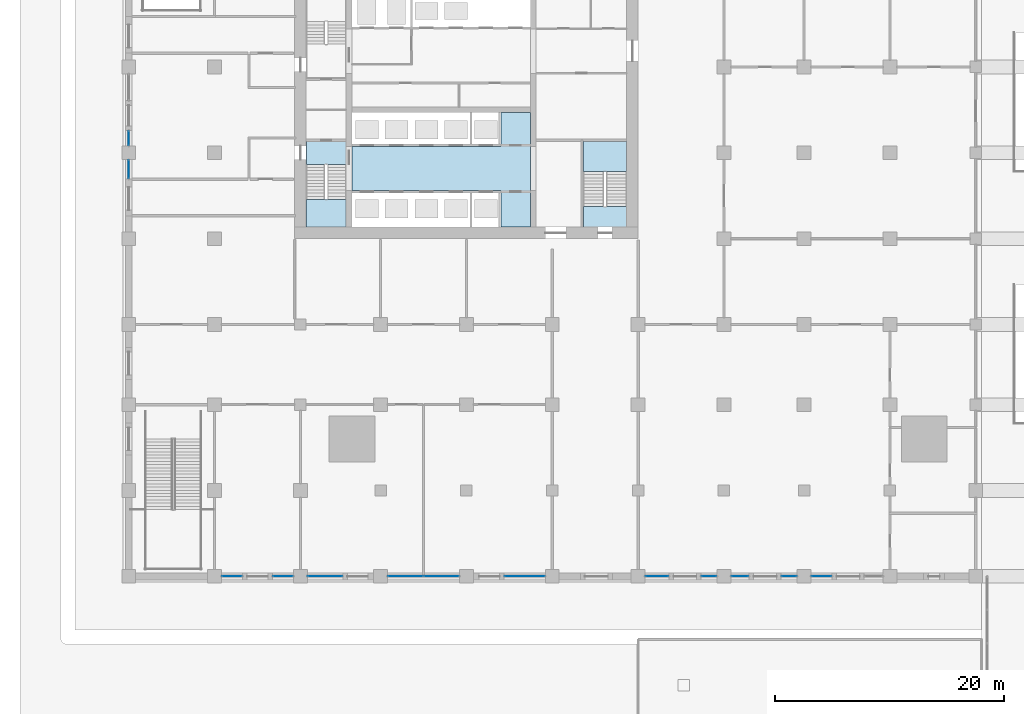
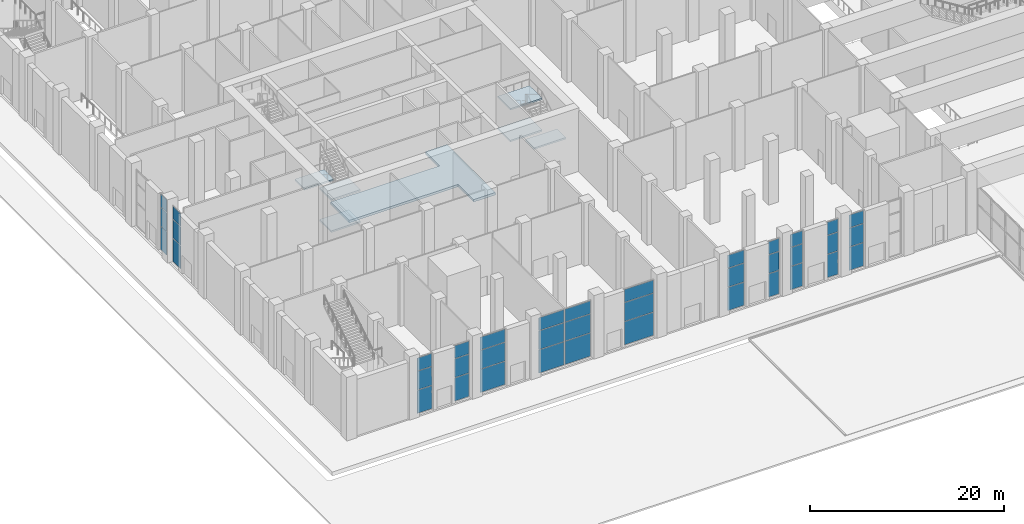
# One storey, part 18 of 57: 39 plates, 7 slabs, 15 elements without a shape of their own.
"""IFC4 building model written with IfcOpenShell, lengths in metres."""

from ifc_helpers import new_model, si_unit, direction, frame, origin, origin_2d, place, context, subcontext, project, spatial, polyline, rectangle, outline, extrude, material, layer, layer_set, type_object, element, aggregate, save


model = new_model("IFC4")

# Units and contexts
model_context = context("Model", 3, precision=1e-05, world=origin(), true_north=direction((0.0, 1.0)))
body_context = subcontext(model_context, "Body", "Model", "MODEL_VIEW")
ifc_project = project(units=[si_unit("LENGTHUNIT", "METRE"), si_unit("AREAUNIT", "SQUARE_METRE"), si_unit("VOLUMEUNIT", "CUBIC_METRE"), si_unit("PLANEANGLEUNIT", "RADIAN"), si_unit("MASSUNIT", "GRAM", prefix="KILO")], contexts=[model_context])

# Site, building, storey
site_placement = place(None, origin())
site = spatial("IfcSite", under=ifc_project, at=site_placement, CompositionType="ELEMENT")
building_placement = place(site_placement, origin())
building = spatial("IfcBuilding", under=site, at=building_placement, Name="Tamorin Gate", CompositionType="ELEMENT")
storey_placement = place(building_placement, origin())
storey = spatial("IfcBuildingStorey", under=building, at=storey_placement, Name="L00", CompositionType="ELEMENT", Elevation=0.0)

# Slab
ifc_material_1 = material(Name="Concrete C40/50", Category="concrete")
ifc_layer_1 = layer(ifc_material_1, 0.300048828125)
ifc_layer_set_1 = layer_set([ifc_layer_1], Name="Core floor slab 300 C40/50")
slab_type_1 = type_object("IfcSlabType", Name="Core floor slab 300 C40/50", PredefinedType="FLOOR", material=ifc_layer_set_1)
slab_1_placement = place(storey_placement, frame((0.0, 0.0, -0.300048828125)))
element("IfcSlab", 1, at=slab_1_placement, inside=storey, type_object=slab_type_1, Name="Core floor L00", PredefinedType="FLOOR", context=body_context, shape_type="SweptSolid", body=[
    extrude(outline(polyline([(50.60009765625, 61.0), (48.0, 61.0), (48.0, 64.199951171875), (35.0, 64.199951171875), (35.0, 68.050048828125), (48.0, 68.050048828125), (48.0, 71.0), (50.60009765625, 71.0), (50.60009765625, 61.0)])), origin(), (0.0, 0.0, 1.0), 0.300048828125),
])

# Stair, slabs
stair_type = type_object("IfcStairType", Name="Exit stair", PredefinedType="HALF_TURN_STAIR", material=ifc_material_1)
stair_1_placement = place(storey_placement, origin())
stair_1 = element("IfcStair", 2, at=stair_1_placement, inside=storey, type_object=stair_type, Name="L00 stair ST1", PredefinedType="HALF_TURN_STAIR")
ifc_layer_2 = layer(ifc_material_1, 0.199951171875)
ifc_layer_set_2 = layer_set([ifc_layer_2], Name="Exit stair landing 200")
slab_type_2 = type_object("IfcSlabType", Name="Exit stair landing 200", PredefinedType="LANDING", material=ifc_layer_set_2)
slab_2_placement = place(storey_placement, frame((0.0, 0.0, 1.800048828125)))
slab_2 = element("IfcSlab", 3, at=slab_2_placement, type_object=slab_type_2, Name="ST1 landing 1", PredefinedType="LANDING", context=body_context, shape_type="SweptSolid", body=[
    extrude(outline(polyline([(31.0, 63.419921875), (31.0, 61.0), (34.5, 61.0), (34.5, 63.419921875), (31.0, 63.419921875)])), origin(), (0.0, 0.0, 1.0), 0.199951171875),
])
slab_3_placement = place(storey_placement, frame((0.0, 0.0, 3.800048828125)))
slab_3 = element("IfcSlab", 4, at=slab_3_placement, type_object=slab_type_2, Name="ST1 landing 2", PredefinedType="LANDING", context=body_context, shape_type="SweptSolid", body=[
    extrude(outline(polyline([(31.0, 68.5), (31.0, 66.5), (34.5, 66.5), (34.5, 68.5), (31.0, 68.5)])), origin(), (0.0, 0.0, 1.0), 0.199951171875),
])
slab_4_placement = place(storey_placement, frame((0.0, 0.0, 5.800048828125)))
slab_4 = element("IfcSlab", 5, at=slab_4_placement, type_object=slab_type_2, Name="ST1 landing 3", PredefinedType="LANDING", context=body_context, shape_type="SweptSolid", body=[
    extrude(outline(polyline([(31.0, 63.419921875), (31.0, 61.0), (34.5, 61.0), (34.5, 63.419921875), (31.0, 63.419921875)])), origin(), (0.0, 0.0, 1.0), 0.199951171875),
])
aggregate(stair_1, [slab_2, slab_3, slab_4])

stair_2_placement = place(storey_placement, origin())
stair_2 = element("IfcStair", 6, at=stair_2_placement, inside=storey, type_object=stair_type, Name="L00 stair ST3", PredefinedType="HALF_TURN_STAIR")
slab_5_placement = place(storey_placement, frame((0.0, 0.0, 1.800048828125)))
slab_5 = element("IfcSlab", 7, at=slab_5_placement, type_object=slab_type_2, Name="ST3 landing 1", PredefinedType="LANDING", context=body_context, shape_type="SweptSolid", body=[
    extrude(outline(polyline([(59.0, 65.8798828125), (59.0, 68.5), (55.199951171875, 68.5), (55.199951171875, 65.8798828125), (59.0, 65.8798828125)])), origin(), (0.0, 0.0, 1.0), 0.199951171875),
])
slab_6_placement = place(storey_placement, frame((0.0, 0.0, 3.800048828125)))
slab_6 = element("IfcSlab", 8, at=slab_6_placement, type_object=slab_type_2, Name="ST3 landing 2", PredefinedType="LANDING", context=body_context, shape_type="SweptSolid", body=[
    extrude(outline(polyline([(59.0, 61.0), (59.0, 62.800048828125), (55.199951171875, 62.800048828125), (55.199951171875, 61.0), (59.0, 61.0)])), origin(), (0.0, 0.0, 1.0), 0.199951171875),
])
slab_7_placement = place(storey_placement, frame((0.0, 0.0, 5.800048828125)))
slab_7 = element("IfcSlab", 9, at=slab_7_placement, type_object=slab_type_2, Name="ST3 landing 3", PredefinedType="LANDING", context=body_context, shape_type="SweptSolid", body=[
    extrude(outline(polyline([(59.0, 65.8798828125), (59.0, 68.5), (55.199951171875, 68.5), (55.199951171875, 65.8798828125), (59.0, 65.8798828125)])), origin(), (0.0, 0.0, 1.0), 0.199951171875),
])
aggregate(stair_2, [slab_5, slab_6, slab_7])

# Curtain wall, plates
ifc_material_2 = material(Name="Aluminium and glass", Category="aluminium")
ifc_layer_3 = layer(ifc_material_2, 0.199951171875)
ifc_layer_set_3 = layer_set([ifc_layer_3], Name="Retail storefront system")
curtain_wall_type = type_object("IfcCurtainWallType", Name="Retail storefront system", PredefinedType="NOTDEFINED", material=ifc_layer_set_3)
curtain_wall_1_placement = place(storey_placement, origin())
curtain_wall_1 = element("IfcCurtainWall", 10, at=curtain_wall_1_placement, inside=storey, type_object=curtain_wall_type, Name="Retail storefront system L00", PredefinedType="NOTDEFINED")
ifc_material_3 = material(Name="Laminated glass", Category="glass")
ifc_layer_4 = layer(ifc_material_3, 0.028076171875)
ifc_layer_set_4 = layer_set([ifc_layer_4], Name="Storefront glass 28")
plate_type = type_object("IfcPlateType", Name="Storefront glass 28", PredefinedType="CURTAIN_PANEL", material=ifc_layer_set_4)
plate_1_placement = place(storey_placement, frame((24.52490234375, 30.5, 0.06005859375), z_axis=(0.0, 0.0, 1.0), x_axis=(1.0, 0.0, 0.0)))
plate_1 = element("IfcPlate", 11, at=plate_1_placement, type_object=plate_type, Name="CWP10 panel 1.1", PredefinedType="CURTAIN_PANEL", context=body_context, shape_type="SweptSolid", body=[
    extrude(rectangle(XDim=1.72998046875, YDim=0.028076171875, at=origin_2d()), origin(), (0.0, 0.0, 1.0), 2.909912109375),
])
plate_2_placement = place(storey_placement, frame((24.52490234375, 30.5, 3.02978515625), z_axis=(0.0, 0.0, 1.0), x_axis=(1.0, 0.0, 0.0)))
plate_2 = element("IfcPlate", 12, at=plate_2_placement, type_object=plate_type, Name="CWP10 panel 1.2", PredefinedType="CURTAIN_PANEL", context=body_context, shape_type="SweptSolid", body=[
    extrude(rectangle(XDim=1.72998046875, YDim=0.028076171875, at=origin_2d()), origin(), (0.0, 0.0, 1.0), 2.340087890625),
])
plate_3_placement = place(storey_placement, frame((24.52490234375, 30.5, 5.43017578125), z_axis=(0.0, 0.0, 1.0), x_axis=(1.0, 0.0, 0.0)))
plate_3 = element("IfcPlate", 13, at=plate_3_placement, type_object=plate_type, Name="CWP10 panel 1.3", PredefinedType="CURTAIN_PANEL", context=body_context, shape_type="SweptSolid", body=[
    extrude(rectangle(XDim=1.72998046875, YDim=0.028076171875, at=origin_2d()), origin(), (0.0, 0.0, 1.0), 1.610107421875),
])
aggregate(curtain_wall_1, [plate_1, plate_2, plate_3])

curtain_wall_2_placement = place(storey_placement, origin())
curtain_wall_2 = element("IfcCurtainWall", 14, at=curtain_wall_2_placement, inside=storey, type_object=curtain_wall_type, Name="Retail storefront system L00", PredefinedType="NOTDEFINED")
plate_4_placement = place(storey_placement, frame((28.97509765625, 30.5, 0.06005859375), z_axis=(0.0, 0.0, 1.0), x_axis=(1.0, 0.0, 0.0)))
plate_4 = element("IfcPlate", 15, at=plate_4_placement, type_object=plate_type, Name="CWP10 panel 1.1", PredefinedType="CURTAIN_PANEL", context=body_context, shape_type="SweptSolid", body=[
    extrude(rectangle(XDim=1.72998046875, YDim=0.028076171875, at=origin_2d()), origin(), (0.0, 0.0, 1.0), 2.909912109375),
])
plate_5_placement = place(storey_placement, frame((28.97509765625, 30.5, 3.02978515625), z_axis=(0.0, 0.0, 1.0), x_axis=(1.0, 0.0, 0.0)))
plate_5 = element("IfcPlate", 16, at=plate_5_placement, type_object=plate_type, Name="CWP10 panel 1.2", PredefinedType="CURTAIN_PANEL", context=body_context, shape_type="SweptSolid", body=[
    extrude(rectangle(XDim=1.72998046875, YDim=0.028076171875, at=origin_2d()), origin(), (0.0, 0.0, 1.0), 2.340087890625),
])
plate_6_placement = place(storey_placement, frame((28.97509765625, 30.5, 5.43017578125), z_axis=(0.0, 0.0, 1.0), x_axis=(1.0, 0.0, 0.0)))
plate_6 = element("IfcPlate", 17, at=plate_6_placement, type_object=plate_type, Name="CWP10 panel 1.3", PredefinedType="CURTAIN_PANEL", context=body_context, shape_type="SweptSolid", body=[
    extrude(rectangle(XDim=1.72998046875, YDim=0.028076171875, at=origin_2d()), origin(), (0.0, 0.0, 1.0), 1.610107421875),
])
aggregate(curtain_wall_2, [plate_4, plate_5, plate_6])

curtain_wall_3_placement = place(storey_placement, origin())
curtain_wall_3 = element("IfcCurtainWall", 18, at=curtain_wall_3_placement, inside=storey, type_object=curtain_wall_type, Name="Retail storefront system L00", PredefinedType="NOTDEFINED")
plate_7_placement = place(storey_placement, frame((32.64990234375, 30.5, 0.06005859375), z_axis=(0.0, 0.0, 1.0), x_axis=(1.0, 0.0, 0.0)))
plate_7 = element("IfcPlate", 19, at=plate_7_placement, type_object=plate_type, Name="CWP10 panel 1.1", PredefinedType="CURTAIN_PANEL", context=body_context, shape_type="SweptSolid", body=[
    extrude(rectangle(XDim=2.97998046875, YDim=0.028076171875, at=origin_2d()), origin(), (0.0, 0.0, 1.0), 2.909912109375),
])
plate_8_placement = place(storey_placement, frame((32.64990234375, 30.5, 3.02978515625), z_axis=(0.0, 0.0, 1.0), x_axis=(1.0, 0.0, 0.0)))
plate_8 = element("IfcPlate", 20, at=plate_8_placement, type_object=plate_type, Name="CWP10 panel 1.2", PredefinedType="CURTAIN_PANEL", context=body_context, shape_type="SweptSolid", body=[
    extrude(rectangle(XDim=2.97998046875, YDim=0.028076171875, at=origin_2d()), origin(), (0.0, 0.0, 1.0), 2.340087890625),
])
plate_9_placement = place(storey_placement, frame((32.64990234375, 30.5, 5.43017578125), z_axis=(0.0, 0.0, 1.0), x_axis=(1.0, 0.0, 0.0)))
plate_9 = element("IfcPlate", 21, at=plate_9_placement, type_object=plate_type, Name="CWP10 panel 1.3", PredefinedType="CURTAIN_PANEL", context=body_context, shape_type="SweptSolid", body=[
    extrude(rectangle(XDim=2.97998046875, YDim=0.028076171875, at=origin_2d()), origin(), (0.0, 0.0, 1.0), 1.610107421875),
])
aggregate(curtain_wall_3, [plate_7, plate_8, plate_9])

curtain_wall_4_placement = place(storey_placement, origin())
curtain_wall_4 = element("IfcCurtainWall", 22, at=curtain_wall_4_placement, inside=storey, type_object=curtain_wall_type, Name="Retail storefront system L00", PredefinedType="NOTDEFINED")
plate_10_placement = place(storey_placement, frame((39.675048828125, 30.5, 0.06005859375), z_axis=(0.0, 0.0, 1.0), x_axis=(1.0, 0.0, 0.0)))
plate_10 = element("IfcPlate", 23, at=plate_10_placement, type_object=plate_type, Name="CWP10 panel 1.1", PredefinedType="CURTAIN_PANEL", context=body_context, shape_type="SweptSolid", body=[
    extrude(rectangle(XDim=3.030029296875, YDim=0.028076171875, at=origin_2d()), origin(), (0.0, 0.0, 1.0), 2.909912109375),
])
plate_11_placement = place(storey_placement, frame((39.675048828125, 30.5, 3.02978515625), z_axis=(0.0, 0.0, 1.0), x_axis=(1.0, 0.0, 0.0)))
plate_11 = element("IfcPlate", 24, at=plate_11_placement, type_object=plate_type, Name="CWP10 panel 1.2", PredefinedType="CURTAIN_PANEL", context=body_context, shape_type="SweptSolid", body=[
    extrude(rectangle(XDim=3.030029296875, YDim=0.028076171875, at=origin_2d()), origin(), (0.0, 0.0, 1.0), 2.340087890625),
])
plate_12_placement = place(storey_placement, frame((39.675048828125, 30.5, 5.43017578125), z_axis=(0.0, 0.0, 1.0), x_axis=(1.0, 0.0, 0.0)))
plate_12 = element("IfcPlate", 25, at=plate_12_placement, type_object=plate_type, Name="CWP10 panel 1.3", PredefinedType="CURTAIN_PANEL", context=body_context, shape_type="SweptSolid", body=[
    extrude(rectangle(XDim=3.030029296875, YDim=0.028076171875, at=origin_2d()), origin(), (0.0, 0.0, 1.0), 1.610107421875),
])
aggregate(curtain_wall_4, [plate_10, plate_11, plate_12])

curtain_wall_5_placement = place(storey_placement, origin())
curtain_wall_5 = element("IfcCurtainWall", 26, at=curtain_wall_5_placement, inside=storey, type_object=curtain_wall_type, Name="Retail storefront system L00", PredefinedType="NOTDEFINED")
plate_13_placement = place(storey_placement, frame((42.824951171875, 30.5, 0.06005859375), z_axis=(0.0, 0.0, 1.0), x_axis=(1.0, 0.0, 0.0)))
plate_13 = element("IfcPlate", 27, at=plate_13_placement, type_object=plate_type, Name="CWP10 panel 1.1", PredefinedType="CURTAIN_PANEL", context=body_context, shape_type="SweptSolid", body=[
    extrude(rectangle(XDim=3.030029296875, YDim=0.028076171875, at=origin_2d()), origin(), (0.0, 0.0, 1.0), 2.909912109375),
])
plate_14_placement = place(storey_placement, frame((42.824951171875, 30.5, 3.02978515625), z_axis=(0.0, 0.0, 1.0), x_axis=(1.0, 0.0, 0.0)))
plate_14 = element("IfcPlate", 28, at=plate_14_placement, type_object=plate_type, Name="CWP10 panel 1.2", PredefinedType="CURTAIN_PANEL", context=body_context, shape_type="SweptSolid", body=[
    extrude(rectangle(XDim=3.030029296875, YDim=0.028076171875, at=origin_2d()), origin(), (0.0, 0.0, 1.0), 2.340087890625),
])
plate_15_placement = place(storey_placement, frame((42.824951171875, 30.5, 5.43017578125), z_axis=(0.0, 0.0, 1.0), x_axis=(1.0, 0.0, 0.0)))
plate_15 = element("IfcPlate", 29, at=plate_15_placement, type_object=plate_type, Name="CWP10 panel 1.3", PredefinedType="CURTAIN_PANEL", context=body_context, shape_type="SweptSolid", body=[
    extrude(rectangle(XDim=3.030029296875, YDim=0.028076171875, at=origin_2d()), origin(), (0.0, 0.0, 1.0), 1.610107421875),
])
aggregate(curtain_wall_5, [plate_13, plate_14, plate_15])

curtain_wall_6_placement = place(storey_placement, origin())
curtain_wall_6 = element("IfcCurtainWall", 30, at=curtain_wall_6_placement, inside=storey, type_object=curtain_wall_type, Name="Retail storefront system L00", PredefinedType="NOTDEFINED")
plate_16_placement = place(storey_placement, frame((50.10009765625, 30.5, 0.06005859375), z_axis=(0.0, 0.0, 1.0), x_axis=(1.0, 0.0, 0.0)))
plate_16 = element("IfcPlate", 31, at=plate_16_placement, type_object=plate_type, Name="CWP10 panel 1.1", PredefinedType="CURTAIN_PANEL", context=body_context, shape_type="SweptSolid", body=[
    extrude(rectangle(XDim=3.47998046875, YDim=0.028076171875, at=origin_2d()), origin(), (0.0, 0.0, 1.0), 2.909912109375),
])
plate_17_placement = place(storey_placement, frame((50.10009765625, 30.5, 3.02978515625), z_axis=(0.0, 0.0, 1.0), x_axis=(1.0, 0.0, 0.0)))
plate_17 = element("IfcPlate", 32, at=plate_17_placement, type_object=plate_type, Name="CWP10 panel 1.2", PredefinedType="CURTAIN_PANEL", context=body_context, shape_type="SweptSolid", body=[
    extrude(rectangle(XDim=3.47998046875, YDim=0.028076171875, at=origin_2d()), origin(), (0.0, 0.0, 1.0), 2.340087890625),
])
plate_18_placement = place(storey_placement, frame((50.10009765625, 30.5, 5.43017578125), z_axis=(0.0, 0.0, 1.0), x_axis=(1.0, 0.0, 0.0)))
plate_18 = element("IfcPlate", 33, at=plate_18_placement, type_object=plate_type, Name="CWP10 panel 1.3", PredefinedType="CURTAIN_PANEL", context=body_context, shape_type="SweptSolid", body=[
    extrude(rectangle(XDim=3.47998046875, YDim=0.028076171875, at=origin_2d()), origin(), (0.0, 0.0, 1.0), 1.610107421875),
])
aggregate(curtain_wall_6, [plate_16, plate_17, plate_18])

curtain_wall_7_placement = place(storey_placement, origin())
curtain_wall_7 = element("IfcCurtainWall", 34, at=curtain_wall_7_placement, inside=storey, type_object=curtain_wall_type, Name="Retail storefront system L00", PredefinedType="NOTDEFINED")
plate_19_placement = place(storey_placement, frame((61.64990234375, 30.5, 0.06005859375), z_axis=(0.0, 0.0, 1.0), x_axis=(1.0, 0.0, 0.0)))
plate_19 = element("IfcPlate", 35, at=plate_19_placement, type_object=plate_type, Name="CWP10 panel 1.1", PredefinedType="CURTAIN_PANEL", context=body_context, shape_type="SweptSolid", body=[
    extrude(rectangle(XDim=1.97998046875, YDim=0.028076171875, at=origin_2d()), origin(), (0.0, 0.0, 1.0), 2.909912109375),
])
plate_20_placement = place(storey_placement, frame((61.64990234375, 30.5, 3.02978515625), z_axis=(0.0, 0.0, 1.0), x_axis=(1.0, 0.0, 0.0)))
plate_20 = element("IfcPlate", 36, at=plate_20_placement, type_object=plate_type, Name="CWP10 panel 1.2", PredefinedType="CURTAIN_PANEL", context=body_context, shape_type="SweptSolid", body=[
    extrude(rectangle(XDim=1.97998046875, YDim=0.028076171875, at=origin_2d()), origin(), (0.0, 0.0, 1.0), 2.340087890625),
])
plate_21_placement = place(storey_placement, frame((61.64990234375, 30.5, 5.43017578125), z_axis=(0.0, 0.0, 1.0), x_axis=(1.0, 0.0, 0.0)))
plate_21 = element("IfcPlate", 37, at=plate_21_placement, type_object=plate_type, Name="CWP10 panel 1.3", PredefinedType="CURTAIN_PANEL", context=body_context, shape_type="SweptSolid", body=[
    extrude(rectangle(XDim=1.97998046875, YDim=0.028076171875, at=origin_2d()), origin(), (0.0, 0.0, 1.0), 1.610107421875),
])
aggregate(curtain_wall_7, [plate_19, plate_20, plate_21])

curtain_wall_8_placement = place(storey_placement, origin())
curtain_wall_8 = element("IfcCurtainWall", 38, at=curtain_wall_8_placement, inside=storey, type_object=curtain_wall_type, Name="Retail storefront system L00", PredefinedType="NOTDEFINED")
plate_22_placement = place(storey_placement, frame((66.199951171875, 30.5, 0.06005859375), z_axis=(0.0, 0.0, 1.0), x_axis=(1.0, 0.0, 0.0)))
plate_22 = element("IfcPlate", 39, at=plate_22_placement, type_object=plate_type, Name="CWP10 panel 1.1", PredefinedType="CURTAIN_PANEL", context=body_context, shape_type="SweptSolid", body=[
    extrude(rectangle(XDim=1.280029296875, YDim=0.028076171875, at=origin_2d()), origin(), (0.0, 0.0, 1.0), 2.909912109375),
])
plate_23_placement = place(storey_placement, frame((66.199951171875, 30.5, 3.02978515625), z_axis=(0.0, 0.0, 1.0), x_axis=(1.0, 0.0, 0.0)))
plate_23 = element("IfcPlate", 40, at=plate_23_placement, type_object=plate_type, Name="CWP10 panel 1.2", PredefinedType="CURTAIN_PANEL", context=body_context, shape_type="SweptSolid", body=[
    extrude(rectangle(XDim=1.280029296875, YDim=0.028076171875, at=origin_2d()), origin(), (0.0, 0.0, 1.0), 2.340087890625),
])
plate_24_placement = place(storey_placement, frame((66.199951171875, 30.5, 5.43017578125), z_axis=(0.0, 0.0, 1.0), x_axis=(1.0, 0.0, 0.0)))
plate_24 = element("IfcPlate", 41, at=plate_24_placement, type_object=plate_type, Name="CWP10 panel 1.3", PredefinedType="CURTAIN_PANEL", context=body_context, shape_type="SweptSolid", body=[
    extrude(rectangle(XDim=1.280029296875, YDim=0.028076171875, at=origin_2d()), origin(), (0.0, 0.0, 1.0), 1.610107421875),
])
aggregate(curtain_wall_8, [plate_22, plate_23, plate_24])

curtain_wall_9_placement = place(storey_placement, origin())
curtain_wall_9 = element("IfcCurtainWall", 42, at=curtain_wall_9_placement, inside=storey, type_object=curtain_wall_type, Name="Retail storefront system L00", PredefinedType="NOTDEFINED")
plate_25_placement = place(storey_placement, frame((68.89990234375, 30.5, 0.06005859375), z_axis=(0.0, 0.0, 1.0), x_axis=(1.0, 0.0, 0.0)))
plate_25 = element("IfcPlate", 43, at=plate_25_placement, type_object=plate_type, Name="CWP10 panel 1.1", PredefinedType="CURTAIN_PANEL", context=body_context, shape_type="SweptSolid", body=[
    extrude(rectangle(XDim=1.47998046875, YDim=0.028076171875, at=origin_2d()), origin(), (0.0, 0.0, 1.0), 2.909912109375),
])
plate_26_placement = place(storey_placement, frame((68.89990234375, 30.5, 3.02978515625), z_axis=(0.0, 0.0, 1.0), x_axis=(1.0, 0.0, 0.0)))
plate_26 = element("IfcPlate", 44, at=plate_26_placement, type_object=plate_type, Name="CWP10 panel 1.2", PredefinedType="CURTAIN_PANEL", context=body_context, shape_type="SweptSolid", body=[
    extrude(rectangle(XDim=1.47998046875, YDim=0.028076171875, at=origin_2d()), origin(), (0.0, 0.0, 1.0), 2.340087890625),
])
plate_27_placement = place(storey_placement, frame((68.89990234375, 30.5, 5.43017578125), z_axis=(0.0, 0.0, 1.0), x_axis=(1.0, 0.0, 0.0)))
plate_27 = element("IfcPlate", 45, at=plate_27_placement, type_object=plate_type, Name="CWP10 panel 1.3", PredefinedType="CURTAIN_PANEL", context=body_context, shape_type="SweptSolid", body=[
    extrude(rectangle(XDim=1.47998046875, YDim=0.028076171875, at=origin_2d()), origin(), (0.0, 0.0, 1.0), 1.610107421875),
])
aggregate(curtain_wall_9, [plate_25, plate_26, plate_27])

curtain_wall_10_placement = place(storey_placement, origin())
curtain_wall_10 = element("IfcCurtainWall", 46, at=curtain_wall_10_placement, inside=storey, type_object=curtain_wall_type, Name="Retail storefront system L00", PredefinedType="NOTDEFINED")
plate_28_placement = place(storey_placement, frame((73.199951171875, 30.5, 0.06005859375), z_axis=(0.0, 0.0, 1.0), x_axis=(1.0, 0.0, 0.0)))
plate_28 = element("IfcPlate", 47, at=plate_28_placement, type_object=plate_type, Name="CWP10 panel 1.1", PredefinedType="CURTAIN_PANEL", context=body_context, shape_type="SweptSolid", body=[
    extrude(rectangle(XDim=1.280029296875, YDim=0.028076171875, at=origin_2d()), origin(), (0.0, 0.0, 1.0), 2.909912109375),
])
plate_29_placement = place(storey_placement, frame((73.199951171875, 30.5, 3.02978515625), z_axis=(0.0, 0.0, 1.0), x_axis=(1.0, 0.0, 0.0)))
plate_29 = element("IfcPlate", 48, at=plate_29_placement, type_object=plate_type, Name="CWP10 panel 1.2", PredefinedType="CURTAIN_PANEL", context=body_context, shape_type="SweptSolid", body=[
    extrude(rectangle(XDim=1.280029296875, YDim=0.028076171875, at=origin_2d()), origin(), (0.0, 0.0, 1.0), 2.340087890625),
])
plate_30_placement = place(storey_placement, frame((73.199951171875, 30.5, 5.43017578125), z_axis=(0.0, 0.0, 1.0), x_axis=(1.0, 0.0, 0.0)))
plate_30 = element("IfcPlate", 49, at=plate_30_placement, type_object=plate_type, Name="CWP10 panel 1.3", PredefinedType="CURTAIN_PANEL", context=body_context, shape_type="SweptSolid", body=[
    extrude(rectangle(XDim=1.280029296875, YDim=0.028076171875, at=origin_2d()), origin(), (0.0, 0.0, 1.0), 1.610107421875),
])
aggregate(curtain_wall_10, [plate_28, plate_29, plate_30])

curtain_wall_11_placement = place(storey_placement, origin())
curtain_wall_11 = element("IfcCurtainWall", 50, at=curtain_wall_11_placement, inside=storey, type_object=curtain_wall_type, Name="Retail storefront system L00", PredefinedType="NOTDEFINED")
plate_31_placement = place(storey_placement, frame((76.02490234375, 30.5, 0.06005859375), z_axis=(0.0, 0.0, 1.0), x_axis=(1.0, 0.0, 0.0)))
plate_31 = element("IfcPlate", 51, at=plate_31_placement, type_object=plate_type, Name="CWP10 panel 1.1", PredefinedType="CURTAIN_PANEL", context=body_context, shape_type="SweptSolid", body=[
    extrude(rectangle(XDim=1.72998046875, YDim=0.028076171875, at=origin_2d()), origin(), (0.0, 0.0, 1.0), 2.909912109375),
])
plate_32_placement = place(storey_placement, frame((76.02490234375, 30.5, 3.02978515625), z_axis=(0.0, 0.0, 1.0), x_axis=(1.0, 0.0, 0.0)))
plate_32 = element("IfcPlate", 52, at=plate_32_placement, type_object=plate_type, Name="CWP10 panel 1.2", PredefinedType="CURTAIN_PANEL", context=body_context, shape_type="SweptSolid", body=[
    extrude(rectangle(XDim=1.72998046875, YDim=0.028076171875, at=origin_2d()), origin(), (0.0, 0.0, 1.0), 2.340087890625),
])
plate_33_placement = place(storey_placement, frame((76.02490234375, 30.5, 5.43017578125), z_axis=(0.0, 0.0, 1.0), x_axis=(1.0, 0.0, 0.0)))
plate_33 = element("IfcPlate", 53, at=plate_33_placement, type_object=plate_type, Name="CWP10 panel 1.3", PredefinedType="CURTAIN_PANEL", context=body_context, shape_type="SweptSolid", body=[
    extrude(rectangle(XDim=1.72998046875, YDim=0.028076171875, at=origin_2d()), origin(), (0.0, 0.0, 1.0), 1.610107421875),
])
aggregate(curtain_wall_11, [plate_31, plate_32, plate_33])

curtain_wall_12_placement = place(storey_placement, origin())
curtain_wall_12 = element("IfcCurtainWall", 54, at=curtain_wall_12_placement, inside=storey, type_object=curtain_wall_type, Name="Retail storefront system L00", PredefinedType="NOTDEFINED")
plate_34_placement = place(storey_placement, frame((15.5, 66.050048828125, 0.06005859375), z_axis=(0.0, 0.0, 1.0), x_axis=(0.0, 1.0, 0.0)))
plate_34 = element("IfcPlate", 55, at=plate_34_placement, type_object=plate_type, Name="CWP10 panel 1.1", PredefinedType="CURTAIN_PANEL", context=body_context, shape_type="SweptSolid", body=[
    extrude(rectangle(XDim=1.580078125, YDim=0.028076171875, at=origin_2d()), origin(), (0.0, 0.0, 1.0), 2.909912109375),
])
plate_35_placement = place(storey_placement, frame((15.5, 66.050048828125, 3.02978515625), z_axis=(0.0, 0.0, 1.0), x_axis=(0.0, 1.0, 0.0)))
plate_35 = element("IfcPlate", 56, at=plate_35_placement, type_object=plate_type, Name="CWP10 panel 1.2", PredefinedType="CURTAIN_PANEL", context=body_context, shape_type="SweptSolid", body=[
    extrude(rectangle(XDim=1.580078125, YDim=0.028076171875, at=origin_2d()), origin(), (0.0, 0.0, 1.0), 2.340087890625),
])
plate_36_placement = place(storey_placement, frame((15.5, 66.050048828125, 5.43017578125), z_axis=(0.0, 0.0, 1.0), x_axis=(0.0, 1.0, 0.0)))
plate_36 = element("IfcPlate", 57, at=plate_36_placement, type_object=plate_type, Name="CWP10 panel 1.3", PredefinedType="CURTAIN_PANEL", context=body_context, shape_type="SweptSolid", body=[
    extrude(rectangle(XDim=1.580078125, YDim=0.028076171875, at=origin_2d()), origin(), (0.0, 0.0, 1.0), 1.610107421875),
])
aggregate(curtain_wall_12, [plate_34, plate_35, plate_36])

curtain_wall_13_placement = place(storey_placement, origin())
curtain_wall_13 = element("IfcCurtainWall", 58, at=curtain_wall_13_placement, inside=storey, type_object=curtain_wall_type, Name="Retail storefront system L00", PredefinedType="NOTDEFINED")
plate_37_placement = place(storey_placement, frame((15.5, 68.77490234375, 0.06005859375), z_axis=(0.0, 0.0, 1.0), x_axis=(0.0, 1.0, 0.0)))
plate_37 = element("IfcPlate", 59, at=plate_37_placement, type_object=plate_type, Name="CWP10 panel 1.1", PredefinedType="CURTAIN_PANEL", context=body_context, shape_type="SweptSolid", body=[
    extrude(rectangle(XDim=1.22998046875, YDim=0.028076171875, at=origin_2d()), origin(), (0.0, 0.0, 1.0), 2.909912109375),
])
plate_38_placement = place(storey_placement, frame((15.5, 68.77490234375, 3.02978515625), z_axis=(0.0, 0.0, 1.0), x_axis=(0.0, 1.0, 0.0)))
plate_38 = element("IfcPlate", 60, at=plate_38_placement, type_object=plate_type, Name="CWP10 panel 1.2", PredefinedType="CURTAIN_PANEL", context=body_context, shape_type="SweptSolid", body=[
    extrude(rectangle(XDim=1.22998046875, YDim=0.028076171875, at=origin_2d()), origin(), (0.0, 0.0, 1.0), 2.340087890625),
])
plate_39_placement = place(storey_placement, frame((15.5, 68.77490234375, 5.43017578125), z_axis=(0.0, 0.0, 1.0), x_axis=(0.0, 1.0, 0.0)))
plate_39 = element("IfcPlate", 61, at=plate_39_placement, type_object=plate_type, Name="CWP10 panel 1.3", PredefinedType="CURTAIN_PANEL", context=body_context, shape_type="SweptSolid", body=[
    extrude(rectangle(XDim=1.22998046875, YDim=0.028076171875, at=origin_2d()), origin(), (0.0, 0.0, 1.0), 1.610107421875),
])
aggregate(curtain_wall_13, [plate_37, plate_38, plate_39])

save(model, "model.ifc")
